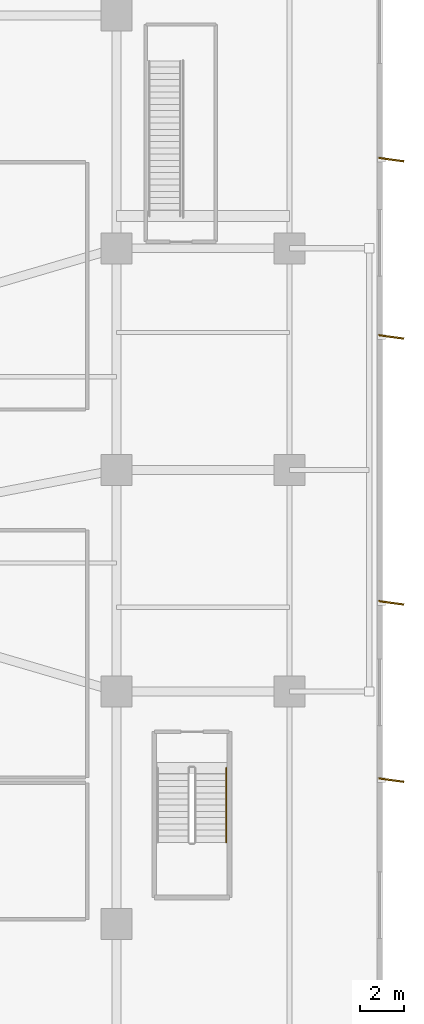
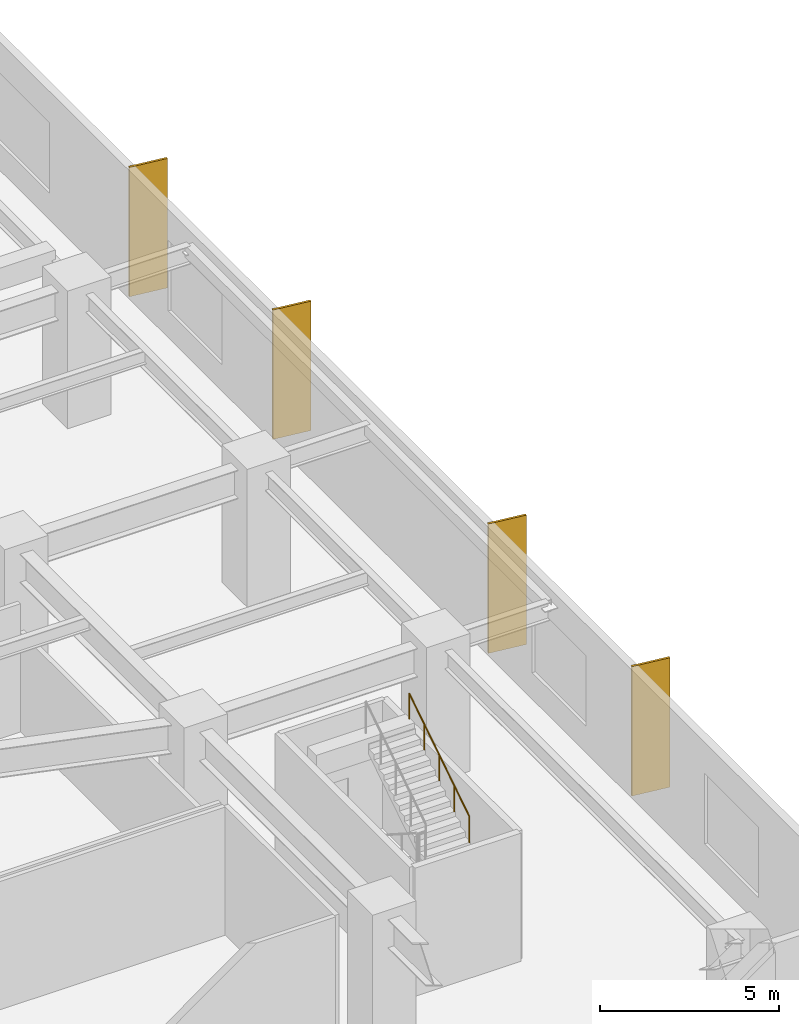
# One storey, part 21 of 21: 4 shading devices, 1 railing.
"""IFC4 building model written with IfcOpenShell, lengths in metres."""

from ifc_helpers import new_model, si_unit, direction, frame, origin, origin_2d, place, context, subcontext, project, spatial, rectangle, circle, extrude, material, layer, layer_set, type_object, element, save


model = new_model("IFC4")

# Units and contexts
model_context = context("Model", 3, precision=1e-05, world=origin(), true_north=direction((0.0, 1.0)))
body_context = subcontext(model_context, "Body", "Model", "MODEL_VIEW")
ifc_project = project(units=[si_unit("LENGTHUNIT", "METRE"), si_unit("AREAUNIT", "SQUARE_METRE"), si_unit("VOLUMEUNIT", "CUBIC_METRE"), si_unit("PLANEANGLEUNIT", "RADIAN"), si_unit("MASSUNIT", "GRAM", prefix="KILO")], contexts=[model_context])

# Site, building, storey
site_placement = place(None, origin())
site = spatial("IfcSite", under=ifc_project, at=site_placement, CompositionType="ELEMENT")
building_placement = place(site_placement, origin())
building = spatial("IfcBuilding", under=site, at=building_placement, Name="Solmarez Civic Tower", CompositionType="ELEMENT")
storey_placement = place(building_placement, frame((0.0, 0.0, 10.080078125)))
storey = spatial("IfcBuildingStorey", under=building, at=storey_placement, Name="L02", CompositionType="ELEMENT", Elevation=10.080078125)

# Shading devices
ifc_material_1 = material(Name="Bronze Anodised Aluminium EN AW-6063 T6", Category="aluminium")
ifc_layer = layer(ifc_material_1, 0.070068359375)
ifc_layer_set = layer_set([ifc_layer], Name="Bronze Anodised Aluminium EN AW-6063 T6")
shading_device_type = type_object("IfcShadingDeviceType", Name="FIN-BRONZE-POD", PredefinedType="USERDEFINED", material=ifc_layer_set)
for number, where, z_axis, x_axis, name in (
    (1, (36.39501953125, -14.0, -0.0400390625), (0.0, 0.0, 1.0), (0.990983199715, -0.133986185418, 0.0), "L02 Anodised Bronze Solar Fin FIN-L02-E1"),
    (2, (36.39501953125, -6.0, -0.0400390625), (0.0, 0.0, 1.0), (0.990983199715, -0.133986185418, 0.0), "L02 Anodised Bronze Solar Fin FIN-L02-E2"),
    (3, (36.39501953125, 6.0, -0.0400390625), (0.0, 0.0, 1.0), (0.990983199715, -0.133986185418, 0.0), "L02 Anodised Bronze Solar Fin FIN-L02-E3"),
    (4, (36.39501953125, 14.0, -0.0400390625), (0.0, 0.0, 1.0), (0.990983199715, -0.133986185418, 0.0), "L02 Anodised Bronze Solar Fin FIN-L02-E4"),
):
    element("IfcShadingDevice", number, at=place(storey_placement, frame(where, z_axis=z_axis, x_axis=x_axis)), inside=storey, type_object=shading_device_type, Name=name, ObjectType="FIN", PredefinedType="USERDEFINED", context=body_context, shape_type="SweptSolid", body=[
        extrude(rectangle(XDim=1.14990234375, YDim=0.070068359375, at=origin_2d()), origin(), (0.0, 0.0, 1.0), 4.39990234375),
    ])

# Railing
ifc_material_2 = material(Name="Brushed Stainless Steel Tube Handrail", Category="steel")
railing_type = type_object("IfcRailingType", Name="HANDRAIL-STAIR-900", PredefinedType="HANDRAIL", material=ifc_material_2)
railing_placement = place(storey_placement, frame((28.949951171875, -16.81005859375, 2.52001953125)))
element("IfcRailing", 5, at=railing_placement, inside=storey, type_object=railing_type, Name="L02 ST-P2 stair handrail 2", PredefinedType="HANDRAIL", context=body_context, shape_type="SweptSolid", body=[
    extrude(circle(Radius=0.02392578125, at=origin_2d()), frame((0.0, 0.0, 0.8759765625), z_axis=(0.0, 0.84119634759, 0.540729789082), x_axis=(-1.0, 0.0, 0.0)), (0.0, 0.0, 1.0), 3.994384765625),
    extrude(circle(Radius=0.02099609375, at=origin_2d()), origin(), (0.0, 0.0, 1.0), 0.851806640625),
    extrude(circle(Radius=0.02099609375, at=origin_2d()), frame((0.0, 0.840087890625, 0.5400390625)), (0.0, 0.0, 1.0), 0.851806640625),
    extrude(circle(Radius=0.02099609375, at=origin_2d()), frame((0.0, 1.68017578125, 1.080078125)), (0.0, 0.0, 1.0), 0.851806640625),
    extrude(circle(Radius=0.02099609375, at=origin_2d()), frame((0.0, 2.52001953125, 1.619873046875)), (0.0, 0.0, 1.0), 0.851806640625),
    extrude(circle(Radius=0.02099609375, at=origin_2d()), frame((0.0, 3.360107421875, 2.159912109375)), (0.0, 0.0, 1.0), 0.851806640625),
])

save(model, "model.ifc")
